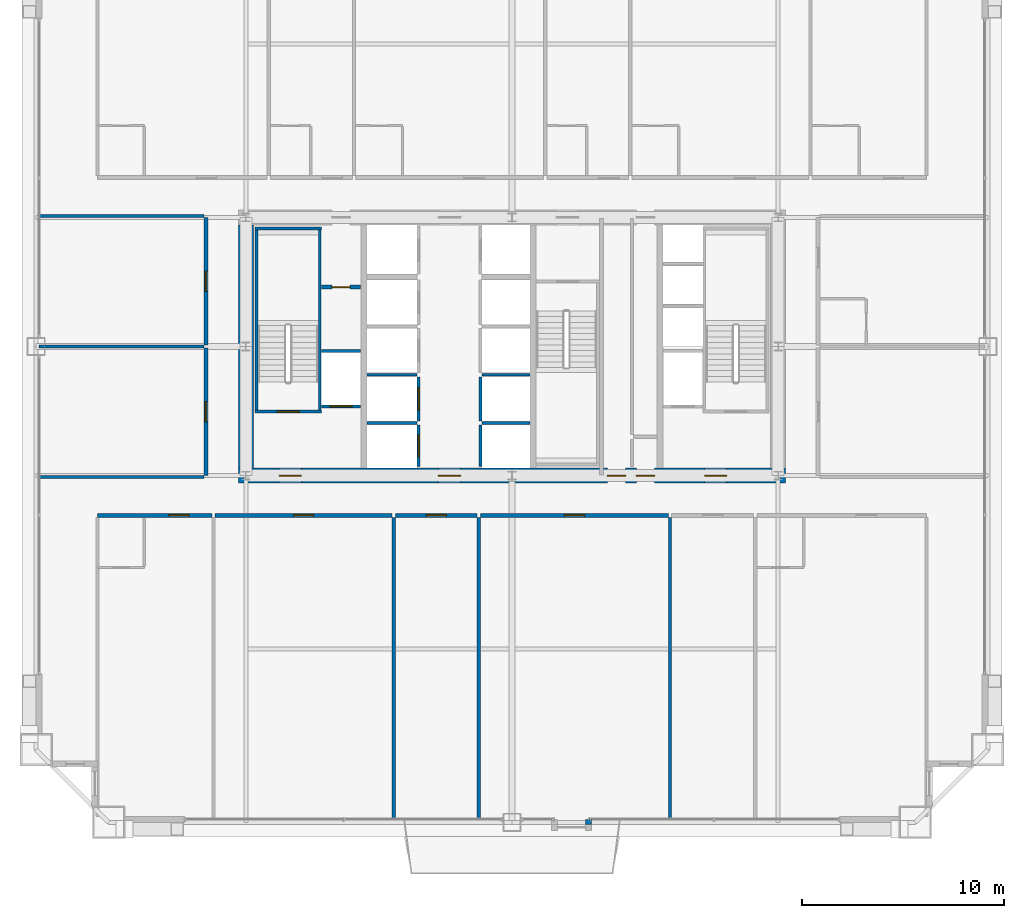
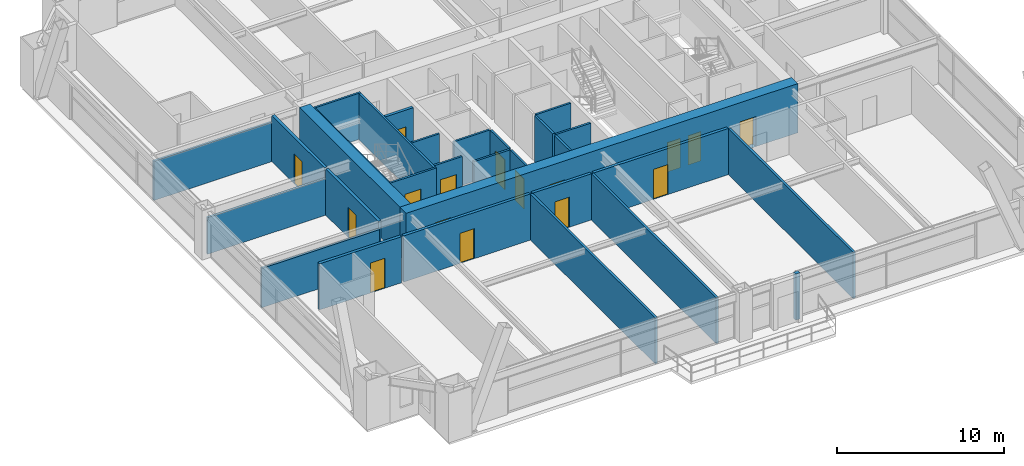
# One storey, part 37 of 41: 30 walls, 16 doors, 16 openings.
"""IFC4 building model written with IfcOpenShell, lengths in metres."""

from ifc_helpers import new_model, si_unit, direction, frame, frame_2d, origin, place, context, subcontext, project, spatial, rectangle, extrude, source, transform, mapped, material, layer, layer_set, type_object, element, fill, save


model = new_model("IFC4")

# Units and contexts
model_context = context("Model", 3, precision=1e-05, world=origin(), true_north=direction((0.0, 1.0)))
body_context = subcontext(model_context, "Body", "Model", "MODEL_VIEW")
ifc_project = project(units=[si_unit("LENGTHUNIT", "METRE"), si_unit("AREAUNIT", "SQUARE_METRE"), si_unit("VOLUMEUNIT", "CUBIC_METRE"), si_unit("PLANEANGLEUNIT", "RADIAN"), si_unit("MASSUNIT", "GRAM", prefix="KILO"), si_unit("THERMODYNAMICTEMPERATUREUNIT", "KELVIN"), si_unit("POWERUNIT", "WATT")], contexts=[model_context])

# Site, building, storey
site_placement = place(None, origin())
site = spatial("IfcSite", under=ifc_project, at=site_placement, CompositionType="ELEMENT")
building_placement = place(site_placement, origin())
building = spatial("IfcBuilding", under=site, at=building_placement, Name="Yuzanri Waterfront Tower", CompositionType="ELEMENT")
storey_placement = place(building_placement, frame((0.0, 0.0, 152.39990234375)))
storey = spatial("IfcBuildingStorey", under=building, at=storey_placement, Name="L40", CompositionType="ELEMENT", Elevation=152.39990234375)

# Wall, openings, doors
ifc_material_1 = material(Name="Concrete C55", Category="concrete")
ifc_layer_1 = layer(ifc_material_1, 0.75)
ifc_layer_set_1 = layer_set([ifc_layer_1], Name="Concrete C55")
wall_type_1 = type_object("IfcWallType", Name="Concrete C55 Low-Mid Zone Core Shear Wall 750", PredefinedType="SHEAR", material=ifc_layer_set_1)
wall_1_placement = place(storey_placement, frame((23.425048828125, 19.39990234375, 0.0), z_axis=(0.0, 0.0, 1.0), x_axis=(1.0, 0.0, 0.0)))
wall_1 = element("IfcWall", 1, at=wall_1_placement, inside=storey, type_object=wall_type_1, Name="L40 Core South Shear Wall", PredefinedType="SHEAR", context=body_context, shape_type="SweptSolid", body=[
    extrude(rectangle(XDim=27.14990234375, YDim=0.75, at=frame_2d((13.574951171875, 0.0))), origin(), (0.0, 0.0, 1.0), 3.60009765625),
])
opening_1_placement = place(wall_1_placement, frame((2.02490234375, 0.0, 0.0)))
opening_1 = element("IfcOpeningElement", 2, at=opening_1_placement, cuts=wall_1, Name="Opening FD-1100", PredefinedType="OPENING", context=body_context, shape_type="SweptSolid", body=[
    extrude(rectangle(XDim=1.10009765625, YDim=2.199951171875, at=frame_2d((0.550048828125, 1.10009765625))), frame((0.0, 0.389892578125, 0.0), z_axis=(0.0, -1.0, 0.0), x_axis=(1.0, 0.0, 0.0)), (0.0, 0.0, 1.0), 0.77978515625),
])
opening_2_placement = place(wall_1_placement, frame((9.925048828125, 0.0, 0.0)))
opening_2 = element("IfcOpeningElement", 3, at=opening_2_placement, cuts=wall_1, Name="Opening FD-1100", PredefinedType="OPENING", context=body_context, shape_type="SweptSolid", body=[
    extrude(rectangle(XDim=1.10009765625, YDim=2.199951171875, at=frame_2d((0.550048828125, 1.10009765625))), frame((0.0, 0.389892578125, 0.0), z_axis=(0.0, -1.0, 0.0), x_axis=(1.0, 0.0, 0.0)), (0.0, 0.0, 1.0), 0.77978515625),
])
opening_3_placement = place(wall_1_placement, frame((23.125, 0.0, 0.0)))
opening_3 = element("IfcOpeningElement", 4, at=opening_3_placement, cuts=wall_1, Name="Opening FD-1100", PredefinedType="OPENING", context=body_context, shape_type="SweptSolid", body=[
    extrude(rectangle(XDim=1.10009765625, YDim=2.199951171875, at=frame_2d((0.550048828125, 1.10009765625))), frame((0.0, 0.389892578125, 0.0), z_axis=(0.0, -1.0, 0.0), x_axis=(1.0, 0.0, 0.0)), (0.0, 0.0, 1.0), 0.77978515625),
])
opening_4_placement = place(wall_1_placement, frame((19.7451171875, 0.0, 0.0)))
opening_4 = element("IfcOpeningElement", 5, at=opening_4_placement, cuts=wall_1, Name="Opening FD-0900", PredefinedType="OPENING", context=body_context, shape_type="SweptSolid", body=[
    extrude(rectangle(XDim=0.89990234375, YDim=2.14990234375, at=frame_2d((0.449951171875, 1.074951171875))), frame((0.0, 0.389892578125, 0.0), z_axis=(0.0, -1.0, 0.0), x_axis=(1.0, 0.0, 0.0)), (0.0, 0.0, 1.0), 0.77978515625),
])
opening_5_placement = place(wall_1_placement, frame((18.304931640625, 0.0, 0.0)))
opening_5 = element("IfcOpeningElement", 6, at=opening_5_placement, cuts=wall_1, Name="Opening FD-0900", PredefinedType="OPENING", context=body_context, shape_type="SweptSolid", body=[
    extrude(rectangle(XDim=0.89990234375, YDim=2.14990234375, at=frame_2d((0.449951171875, 1.074951171875))), frame((0.0, 0.389892578125, 0.0), z_axis=(0.0, -1.0, 0.0), x_axis=(1.0, 0.0, 0.0)), (0.0, 0.0, 1.0), 0.77978515625),
])
ifc_material_2 = material(Name="Painted Galvanized Fire Steel", Category="steel")
door_type_1 = type_object("IfcDoorType", Name="Smoke-Proof Stair and Lobby Fire Door 1100x2200", OperationType="NOTDEFINED", PredefinedType="DOOR", material=ifc_material_2)
shared_shape_1 = source(origin(), body_context, "Body", "SweptSolid", [
    extrude(rectangle(XDim=1.10009765625, YDim=2.199951171875, at=frame_2d((0.550048828125, 1.10009765625))), frame((0.0, 0.02490234375, 0.0), z_axis=(0.0, -1.0, 0.0), x_axis=(1.0, 0.0, 0.0)), (0.0, 0.0, 1.0), 0.050048828125),
])
door_1_placement = place(opening_1_placement, origin())
door_1 = element("IfcDoor", 7, at=door_1_placement, inside=storey, type_object=door_type_1, Name="L40 West Firefighting Lobby Door", OperationType="SINGLE_SWING_RIGHT", OverallHeight=2.199951171875, OverallWidth=1.10009765625, PredefinedType="DOOR", context=body_context, shape_type="MappedRepresentation", body=[
    mapped(shared_shape_1, transform((0.0, 0.0, 0.0), scale=1.0)),
])
fill(opening_1, door_1)
door_2_placement = place(opening_2_placement, origin())
door_2 = element("IfcDoor", 8, at=door_2_placement, inside=storey, type_object=door_type_1, Name="L40 Central Lift Lobby South Door", OperationType="SINGLE_SWING_LEFT", OverallHeight=2.199951171875, OverallWidth=1.10009765625, PredefinedType="DOOR", context=body_context, shape_type="MappedRepresentation", body=[
    mapped(shared_shape_1, transform((0.0, 0.0, 0.0), scale=1.0)),
])
fill(opening_2, door_2)
door_3_placement = place(opening_3_placement, origin())
door_3 = element("IfcDoor", 9, at=door_3_placement, inside=storey, type_object=door_type_1, Name="L40 East Firefighting Lobby Door", OperationType="SINGLE_SWING_RIGHT", OverallHeight=2.199951171875, OverallWidth=1.10009765625, PredefinedType="DOOR", context=body_context, shape_type="MappedRepresentation", body=[
    mapped(shared_shape_1, transform((0.0, 0.0, 0.0), scale=1.0)),
])
fill(opening_3, door_3)
ifc_material_3 = material(Name="Painted Galvanized Fire Steel", Category="steel")
door_type_2 = type_object("IfcDoorType", Name="Riser and Service Room Fire Door 900x2150", OperationType="NOTDEFINED", PredefinedType="DOOR", material=ifc_material_3)
shared_shape_2 = source(origin(), body_context, "Body", "SweptSolid", [
    extrude(rectangle(XDim=0.89990234375, YDim=2.14990234375, at=frame_2d((0.449951171875, 1.074951171875))), frame((0.0, 0.02490234375, 0.0), z_axis=(0.0, -1.0, 0.0), x_axis=(1.0, 0.0, 0.0)), (0.0, 0.0, 1.0), 0.050048828125),
])
door_4_placement = place(opening_4_placement, origin())
door_4 = element("IfcDoor", 10, at=door_4_placement, inside=storey, type_object=door_type_2, Name="L40 East Wet Riser Door", OperationType="SINGLE_SWING_LEFT", OverallHeight=2.14990234375, OverallWidth=0.89990234375, PredefinedType="DOOR", context=body_context, shape_type="MappedRepresentation", body=[
    mapped(shared_shape_2, transform((0.0, 0.0, 0.0), scale=1.0)),
])
fill(opening_4, door_4)
door_5_placement = place(opening_5_placement, origin())
door_5 = element("IfcDoor", 11, at=door_5_placement, inside=storey, type_object=door_type_2, Name="L40 Housekeeping Room", OperationType="SINGLE_SWING_RIGHT", OverallHeight=2.14990234375, OverallWidth=0.89990234375, PredefinedType="DOOR", context=body_context, shape_type="MappedRepresentation", body=[
    mapped(shared_shape_2, transform((0.0, 0.0, 0.0), scale=1.0)),
])
fill(opening_5, door_5)

# Wall, opening, door
ifc_material_4 = material(Name="Concrete C40", Category="concrete")
ifc_layer_2 = layer(ifc_material_4, 0.139892578125)
ifc_layer_set_2 = layer_set([ifc_layer_2], Name="Concrete C40")
wall_type_2 = type_object("IfcWallType", Name="Core Stair Liner and Hoistway Shaft Wall 140", PredefinedType="SOLIDWALL", material=ifc_layer_set_2)
wall_2_placement = place(storey_placement, frame((27.56005859375, 22.830078125, 0.0), z_axis=(0.0, 0.0, 1.0), x_axis=(1.0, 0.0, 0.0)))
wall_2 = element("IfcWall", 12, at=wall_2_placement, inside=storey, type_object=wall_type_2, Name="L40 Lift FL-01 Front Shaft Wall", PredefinedType="SOLIDWALL", context=body_context, shape_type="SweptSolid", body=[
    extrude(rectangle(XDim=1.919921875, YDim=0.139892578125, at=frame_2d((0.9599609375, 0.0))), origin(), (0.0, 0.0, 1.0), 3.380126953125),
])
opening_6_placement = place(wall_2_placement, frame((0.409912109375, 0.0, 0.0)))
opening_6 = element("IfcOpeningElement", 13, at=opening_6_placement, cuts=wall_2, Name="Opening LD-FL-01", PredefinedType="OPENING", context=body_context, shape_type="SweptSolid", body=[
    extrude(rectangle(XDim=1.10009765625, YDim=2.199951171875, at=frame_2d((0.550048828125, 1.10009765625))), frame((0.0, 0.0849609375, 0.0), z_axis=(0.0, -1.0, 0.0), x_axis=(1.0, 0.0, 0.0)), (0.0, 0.0, 1.0), 0.169677734375),
])
ifc_material_5 = material(Name="Brushed Bronze and Stainless Steel Cab", Category="steel")
door_type_3 = type_object("IfcDoorType", Name="Center-Parting Bronze Lift Landing Sliding Door 1100x2200", OperationType="NOTDEFINED", PredefinedType="DOOR", material=ifc_material_5)
shared_shape_3 = source(origin(), body_context, "Body", "SweptSolid", [
    extrude(rectangle(XDim=1.10009765625, YDim=2.199951171875, at=frame_2d((0.550048828125, 1.10009765625))), frame((0.0, 0.02490234375, 0.0), z_axis=(0.0, -1.0, 0.0), x_axis=(1.0, 0.0, 0.0)), (0.0, 0.0, 1.0), 0.050048828125),
])
door_6_placement = place(opening_6_placement, origin())
door_6 = element("IfcDoor", 14, at=door_6_placement, inside=storey, type_object=door_type_3, Name="L40 FL-01 Lift Landing Sliding Door", OperationType="SLIDING_TO_LEFT", OverallHeight=2.199951171875, OverallWidth=1.10009765625, PredefinedType="DOOR", context=body_context, shape_type="MappedRepresentation", body=[
    mapped(shared_shape_3, transform((0.0, 0.0, 0.0), scale=1.0)),
])
fill(opening_6, door_6)

wall_3_placement = place(storey_placement, frame((32.3701171875, 19.860107421875, 0.0), z_axis=(0.0, 0.0, 1.0), x_axis=(0.0, 1.0, 0.0)))
wall_3 = element("IfcWall", 15, at=wall_3_placement, inside=storey, type_object=wall_type_2, Name="L40 Lift PL-01 Front Shaft Wall", PredefinedType="SOLIDWALL", context=body_context, shape_type="SweptSolid", body=[
    extrude(rectangle(XDim=2.039794921875, YDim=0.139892578125, at=frame_2d((1.02001953125, 0.0))), origin(), (0.0, 0.0, 1.0), 3.380126953125),
])
opening_7_placement = place(wall_3_placement, frame((0.469970703125, 0.0, 0.0)))
opening_7 = element("IfcOpeningElement", 16, at=opening_7_placement, cuts=wall_3, Name="Opening LD-PL-01", PredefinedType="OPENING", context=body_context, shape_type="SweptSolid", body=[
    extrude(rectangle(XDim=1.10009765625, YDim=2.199951171875, at=frame_2d((0.550048828125, 1.10009765625))), frame((0.0, 0.0849609375, 0.0), z_axis=(0.0, -1.0, 0.0), x_axis=(1.0, 0.0, 0.0)), (0.0, 0.0, 1.0), 0.169677734375),
])
door_7_placement = place(opening_7_placement, origin())
door_7 = element("IfcDoor", 17, at=door_7_placement, inside=storey, type_object=door_type_3, Name="L40 PL-01 Lift Landing Sliding Door", OperationType="SLIDING_TO_LEFT", OverallHeight=2.199951171875, OverallWidth=1.10009765625, PredefinedType="DOOR", context=body_context, shape_type="MappedRepresentation", body=[
    mapped(shared_shape_3, transform((0.0, 0.0, 0.0), scale=1.0)),
])
fill(opening_7, door_7)

wall_4_placement = place(storey_placement, frame((32.3701171875, 22.10009765625, 0.0), z_axis=(0.0, 0.0, 1.0), x_axis=(0.0, 1.0, 0.0)))
wall_4 = element("IfcWall", 18, at=wall_4_placement, inside=storey, type_object=wall_type_2, Name="L40 Lift PL-02 Front Shaft Wall", PredefinedType="SOLIDWALL", context=body_context, shape_type="SweptSolid", body=[
    extrude(rectangle(XDim=2.199951171875, YDim=0.139892578125, at=frame_2d((1.10009765625, 0.0))), origin(), (0.0, 0.0, 1.0), 3.380126953125),
])
opening_8_placement = place(wall_4_placement, frame((0.550048828125, 0.0, 0.0)))
opening_8 = element("IfcOpeningElement", 19, at=opening_8_placement, cuts=wall_4, Name="Opening LD-PL-02", PredefinedType="OPENING", context=body_context, shape_type="SweptSolid", body=[
    extrude(rectangle(XDim=1.10009765625, YDim=2.199951171875, at=frame_2d((0.550048828125, 1.10009765625))), frame((0.0, 0.0849609375, 0.0), z_axis=(0.0, -1.0, 0.0), x_axis=(1.0, 0.0, 0.0)), (0.0, 0.0, 1.0), 0.169677734375),
])
door_8_placement = place(opening_8_placement, origin())
door_8 = element("IfcDoor", 20, at=door_8_placement, inside=storey, type_object=door_type_3, Name="L40 PL-02 Lift Landing Sliding Door", OperationType="SLIDING_TO_RIGHT", OverallHeight=2.199951171875, OverallWidth=1.10009765625, PredefinedType="DOOR", context=body_context, shape_type="MappedRepresentation", body=[
    mapped(shared_shape_3, transform((0.0, 0.0, 0.0), scale=1.0)),
])
fill(opening_8, door_8)

wall_5_placement = place(storey_placement, frame((24.260009765625, 22.570068359375, 0.0), z_axis=(0.0, 0.0, 1.0), x_axis=(1.0, 0.0, 0.0)))
wall_5 = element("IfcWall", 21, at=wall_5_placement, inside=storey, type_object=wall_type_2, Name="L40 Shaft Wall STW-L40-ST-01-S", PredefinedType="SOLIDWALL", context=body_context, shape_type="SweptSolid", body=[
    extrude(rectangle(XDim=3.280029296875, YDim=0.139892578125, at=frame_2d((1.64013671875, 0.0))), origin(), (0.0, 0.0, 1.0), 3.380126953125),
])
opening_9_placement = place(wall_5_placement, frame((1.090087890625, 0.0, 0.0)))
opening_9 = element("IfcOpeningElement", 22, at=opening_9_placement, cuts=wall_5, Name="Opening FD-1100", PredefinedType="OPENING", context=body_context, shape_type="SweptSolid", body=[
    extrude(rectangle(XDim=1.10009765625, YDim=2.199951171875, at=frame_2d((0.550048828125, 1.10009765625))), frame((0.0, 0.0849609375, 0.0), z_axis=(0.0, -1.0, 0.0), x_axis=(1.0, 0.0, 0.0)), (0.0, 0.0, 1.0), 0.169677734375),
])
door_9_placement = place(opening_9_placement, origin())
door_9 = element("IfcDoor", 23, at=door_9_placement, inside=storey, type_object=door_type_1, Name="L40 Stair ST-01 Fire Door", OperationType="SINGLE_SWING_LEFT", OverallHeight=2.199951171875, OverallWidth=1.10009765625, PredefinedType="DOOR", context=body_context, shape_type="MappedRepresentation", body=[
    mapped(shared_shape_1, transform((0.0, 0.0, 0.0), scale=1.0)),
])
fill(opening_9, door_9)

ifc_material_6 = material(Name="Autoclaved Aerated Concrete Blockwork", Category="masonry")
ifc_layer_3 = layer(ifc_material_6, 0.199951171875)
ifc_layer_set_3 = layer_set([ifc_layer_3], Name="Autoclaved Aerated Concrete Blockwork")
wall_type_3 = type_object("IfcWallType", Name="Corridor and Unit Party Fire Wall 200", PredefinedType="PARTITIONING", material=ifc_layer_set_3)
wall_6_placement = place(storey_placement, frame((27.56005859375, 28.75, 0.0), z_axis=(0.0, 0.0, 1.0), x_axis=(1.0, 0.0, 0.0)))
wall_6 = element("IfcWall", 24, at=wall_6_placement, inside=storey, type_object=wall_type_3, Name="L40 Partition CRW-L40-ERTR", PredefinedType="PARTITIONING", context=body_context, shape_type="SweptSolid", body=[
    extrude(rectangle(XDim=1.919921875, YDim=0.199951171875, at=frame_2d((0.9599609375, 0.0))), origin(), (0.0, 0.0, 1.0), 3.380126953125),
])
opening_10_placement = place(wall_6_placement, frame((0.510009765625, 0.0, 0.0)))
opening_10 = element("IfcOpeningElement", 25, at=opening_10_placement, cuts=wall_6, Name="Opening FD-0900", PredefinedType="OPENING", context=body_context, shape_type="SweptSolid", body=[
    extrude(rectangle(XDim=0.89990234375, YDim=2.14990234375, at=frame_2d((0.449951171875, 1.074951171875))), frame((0.0, 0.11474609375, 0.0), z_axis=(0.0, -1.0, 0.0), x_axis=(1.0, 0.0, 0.0)), (0.0, 0.0, 1.0), 0.229736328125),
])
door_10_placement = place(opening_10_placement, origin())
door_10 = element("IfcDoor", 26, at=door_10_placement, inside=storey, type_object=door_type_2, Name="L40 Electrical Riser Door", OperationType="SINGLE_SWING_RIGHT", OverallHeight=2.14990234375, OverallWidth=0.89990234375, PredefinedType="DOOR", context=body_context, shape_type="MappedRepresentation", body=[
    mapped(shared_shape_2, transform((0.0, 0.0, 0.0), scale=1.0)),
])
fill(opening_10, door_10)

wall_7_placement = place(storey_placement, frame((16.43994140625, 17.419921875, 0.0), z_axis=(0.0, 0.0, 1.0), x_axis=(1.0, 0.0, 0.0)))
wall_7 = element("IfcWall", 27, at=wall_7_placement, inside=storey, type_object=wall_type_3, Name="L40 Partition UW-L40-S1-CN", PredefinedType="PARTITIONING", context=body_context, shape_type="SweptSolid", body=[
    extrude(rectangle(XDim=5.677001953125, YDim=0.199951171875, at=frame_2d((2.83837890625, 0.0))), origin(), (0.0, 0.0, 1.0), 3.380126953125),
])
opening_11_placement = place(wall_7_placement, frame((3.54296875, 0.0, 0.0)))
opening_11 = element("IfcOpeningElement", 28, at=opening_11_placement, cuts=wall_7, Name="Opening FD-1000", PredefinedType="OPENING", context=body_context, shape_type="SweptSolid", body=[
    extrude(rectangle(XDim=1.0, YDim=2.199951171875, at=frame_2d((0.5, 1.10009765625))), frame((0.0, 0.11474609375, 0.0), z_axis=(0.0, -1.0, 0.0), x_axis=(1.0, 0.0, 0.0)), (0.0, 0.0, 1.0), 0.229736328125),
])
ifc_material_7 = material(Name="Engineered Oak Fire-Rated Timber", Category="wood")
door_type_4 = type_object("IfcDoorType", Name="Guestroom and Apartment Entrance Fire Door 1000x2200", OperationType="NOTDEFINED", PredefinedType="DOOR", material=ifc_material_7)
shared_shape_4 = source(origin(), body_context, "Body", "SweptSolid", [
    extrude(rectangle(XDim=1.0, YDim=2.199951171875, at=frame_2d((0.5, 1.10009765625))), frame((0.0, 0.02490234375, 0.0), z_axis=(0.0, -1.0, 0.0), x_axis=(1.0, 0.0, 0.0)), (0.0, 0.0, 1.0), 0.050048828125),
])
door_11_placement = place(opening_11_placement, origin())
door_11 = element("IfcDoor", 29, at=door_11_placement, inside=storey, type_object=door_type_4, Name="L40 Ambassador Suite Entrance Door", OperationType="SINGLE_SWING_RIGHT", OverallHeight=2.199951171875, OverallWidth=1.0, PredefinedType="DOOR", context=body_context, shape_type="MappedRepresentation", body=[
    mapped(shared_shape_4, transform((0.0, 0.0, 0.0), scale=1.0)),
])
fill(opening_11, door_11)

wall_8_placement = place(storey_placement, frame((22.277099609375, 17.419921875, 0.0), z_axis=(0.0, 0.0, 1.0), x_axis=(1.0, 0.0, 0.0)))
wall_8 = element("IfcWall", 30, at=wall_8_placement, inside=storey, type_object=wall_type_3, Name="L40 Partition UW-L40-S2-CN", PredefinedType="PARTITIONING", context=body_context, shape_type="SweptSolid", body=[
    extrude(rectangle(XDim=8.77685546875, YDim=0.199951171875, at=frame_2d((4.388427734375, 0.0))), origin(), (0.0, 0.0, 1.0), 3.380126953125),
])
opening_12_placement = place(wall_8_placement, frame((3.888916015625, 0.0, 0.0)))
opening_12 = element("IfcOpeningElement", 31, at=opening_12_placement, cuts=wall_8, Name="Opening FD-1000", PredefinedType="OPENING", context=body_context, shape_type="SweptSolid", body=[
    extrude(rectangle(XDim=1.0, YDim=2.199951171875, at=frame_2d((0.5, 1.10009765625))), frame((0.0, 0.11474609375, 0.0), z_axis=(0.0, -1.0, 0.0), x_axis=(1.0, 0.0, 0.0)), (0.0, 0.0, 1.0), 0.229736328125),
])
door_12_placement = place(opening_12_placement, origin())
door_12 = element("IfcDoor", 32, at=door_12_placement, inside=storey, type_object=door_type_4, Name="L40 Private Office 1 Entrance Door", OperationType="SINGLE_SWING_RIGHT", OverallHeight=2.199951171875, OverallWidth=1.0, PredefinedType="DOOR", context=body_context, shape_type="MappedRepresentation", body=[
    mapped(shared_shape_4, transform((0.0, 0.0, 0.0), scale=1.0)),
])
fill(opening_12, door_12)

wall_9_placement = place(storey_placement, frame((31.214111328125, 17.419921875, 0.0), z_axis=(0.0, 0.0, 1.0), x_axis=(1.0, 0.0, 0.0)))
wall_9 = element("IfcWall", 33, at=wall_9_placement, inside=storey, type_object=wall_type_3, Name="L40 Partition UW-L40-S3-CN", PredefinedType="PARTITIONING", context=body_context, shape_type="SweptSolid", body=[
    extrude(rectangle(XDim=4.060791015625, YDim=0.199951171875, at=frame_2d((2.0302734375, 0.0))), origin(), (0.0, 0.0, 1.0), 3.380126953125),
])
opening_13_placement = place(wall_9_placement, frame((1.531005859375, 0.0, 0.0)))
opening_13 = element("IfcOpeningElement", 34, at=opening_13_placement, cuts=wall_9, Name="Opening FD-1000", PredefinedType="OPENING", context=body_context, shape_type="SweptSolid", body=[
    extrude(rectangle(XDim=1.0, YDim=2.199951171875, at=frame_2d((0.5, 1.10009765625))), frame((0.0, 0.11474609375, 0.0), z_axis=(0.0, -1.0, 0.0), x_axis=(1.0, 0.0, 0.0)), (0.0, 0.0, 1.0), 0.229736328125),
])
door_13_placement = place(opening_13_placement, origin())
door_13 = element("IfcDoor", 35, at=door_13_placement, inside=storey, type_object=door_type_4, Name="L40 Private Office 2 Entrance Door", OperationType="SINGLE_SWING_LEFT", OverallHeight=2.199951171875, OverallWidth=1.0, PredefinedType="DOOR", context=body_context, shape_type="MappedRepresentation", body=[
    mapped(shared_shape_4, transform((0.0, 0.0, 0.0), scale=1.0)),
])
fill(opening_13, door_13)

wall_10_placement = place(storey_placement, frame((35.43505859375, 17.419921875, 0.0), z_axis=(0.0, 0.0, 1.0), x_axis=(1.0, 0.0, 0.0)))
wall_10 = element("IfcWall", 36, at=wall_10_placement, inside=storey, type_object=wall_type_3, Name="L40 Partition UW-L40-S4-CN", PredefinedType="PARTITIONING", context=body_context, shape_type="SweptSolid", body=[
    extrude(rectangle(XDim=9.324951171875, YDim=0.199951171875, at=frame_2d((4.66259765625, 0.0))), origin(), (0.0, 0.0, 1.0), 3.380126953125),
])
opening_14_placement = place(wall_10_placement, frame((4.162109375, 0.0, 0.0)))
opening_14 = element("IfcOpeningElement", 37, at=opening_14_placement, cuts=wall_10, Name="Opening FD-1000", PredefinedType="OPENING", context=body_context, shape_type="SweptSolid", body=[
    extrude(rectangle(XDim=1.0, YDim=2.199951171875, at=frame_2d((0.5, 1.10009765625))), frame((0.0, 0.11474609375, 0.0), z_axis=(0.0, -1.0, 0.0), x_axis=(1.0, 0.0, 0.0)), (0.0, 0.0, 1.0), 0.229736328125),
])
door_14_placement = place(opening_14_placement, origin())
door_14 = element("IfcDoor", 38, at=door_14_placement, inside=storey, type_object=door_type_4, Name="L40 Private Office 3 Entrance Door", OperationType="SINGLE_SWING_RIGHT", OverallHeight=2.199951171875, OverallWidth=1.0, PredefinedType="DOOR", context=body_context, shape_type="MappedRepresentation", body=[
    mapped(shared_shape_4, transform((0.0, 0.0, 0.0), scale=1.0)),
])
fill(opening_14, door_14)

wall_11_placement = place(storey_placement, frame((21.820068359375, 19.409912109375, 0.0), z_axis=(0.0, 0.0, 1.0), x_axis=(0.0, 1.0, 0.0)))
wall_11 = element("IfcWall", 39, at=wall_11_placement, inside=storey, type_object=wall_type_3, Name="L40 Partition UW-L40-W1-CW", PredefinedType="PARTITIONING", context=body_context, shape_type="SweptSolid", body=[
    extrude(rectangle(XDim=6.31005859375, YDim=0.199951171875, at=frame_2d((3.155029296875, 0.0))), origin(), (0.0, 0.0, 1.0), 3.380126953125),
])
opening_15_placement = place(wall_11_placement, frame((2.655029296875, 0.0, 0.0)))
opening_15 = element("IfcOpeningElement", 40, at=opening_15_placement, cuts=wall_11, Name="Opening FD-1000", PredefinedType="OPENING", context=body_context, shape_type="SweptSolid", body=[
    extrude(rectangle(XDim=1.0, YDim=2.199951171875, at=frame_2d((0.5, 1.10009765625))), frame((0.0, 0.11474609375, 0.0), z_axis=(0.0, -1.0, 0.0), x_axis=(1.0, 0.0, 0.0)), (0.0, 0.0, 1.0), 0.229736328125),
])
door_15_placement = place(opening_15_placement, origin())
door_15 = element("IfcDoor", 41, at=door_15_placement, inside=storey, type_object=door_type_4, Name="L40 West Club Room Entrance Door", OperationType="SINGLE_SWING_RIGHT", OverallHeight=2.199951171875, OverallWidth=1.0, PredefinedType="DOOR", context=body_context, shape_type="MappedRepresentation", body=[
    mapped(shared_shape_4, transform((0.0, 0.0, 0.0), scale=1.0)),
])
fill(opening_15, door_15)

wall_12_placement = place(storey_placement, frame((21.820068359375, 25.8798828125, 0.0), z_axis=(0.0, 0.0, 1.0), x_axis=(0.0, 1.0, 0.0)))
wall_12 = element("IfcWall", 42, at=wall_12_placement, inside=storey, type_object=wall_type_3, Name="L40 Partition UW-L40-W2-CW", PredefinedType="PARTITIONING", context=body_context, shape_type="SweptSolid", body=[
    extrude(rectangle(XDim=6.31005859375, YDim=0.199951171875, at=frame_2d((3.155029296875, 0.0))), origin(), (0.0, 0.0, 1.0), 3.380126953125),
])
opening_16_placement = place(wall_12_placement, frame((2.655029296875, 0.0, 0.0)))
opening_16 = element("IfcOpeningElement", 43, at=opening_16_placement, cuts=wall_12, Name="Opening FD-1000", PredefinedType="OPENING", context=body_context, shape_type="SweptSolid", body=[
    extrude(rectangle(XDim=1.0, YDim=2.199951171875, at=frame_2d((0.5, 1.10009765625))), frame((0.0, 0.11474609375, 0.0), z_axis=(0.0, -1.0, 0.0), x_axis=(1.0, 0.0, 0.0)), (0.0, 0.0, 1.0), 0.229736328125),
])
door_16_placement = place(opening_16_placement, origin())
door_16 = element("IfcDoor", 44, at=door_16_placement, inside=storey, type_object=door_type_4, Name="L40 West Library Reading Room Entrance Door", OperationType="SINGLE_SWING_LEFT", OverallHeight=2.199951171875, OverallWidth=1.0, PredefinedType="DOOR", context=body_context, shape_type="MappedRepresentation", body=[
    mapped(shared_shape_4, transform((0.0, 0.0, 0.0), scale=1.0)),
])
fill(opening_16, door_16)

# Walls
shared_shape_5 = source(origin(), body_context, "Body", "SweptSolid", [
    extrude(rectangle(XDim=12.050048828125, YDim=0.75, at=frame_2d((6.02490234375, 0.0))), origin(), (0.0, 0.0, 1.0), 3.60009765625),
])
wall_13_placement = place(storey_placement, frame((23.800048828125, 19.77490234375, 0.0), z_axis=(0.0, 0.0, 1.0), x_axis=(0.0, 1.0, 0.0)))
element("IfcWall", 45, at=wall_13_placement, inside=storey, type_object=wall_type_1, Name="L40 Core West Shear Wall", PredefinedType="SHEAR", context=body_context, shape_type="MappedRepresentation", body=[
    mapped(shared_shape_5, transform((0.0, 0.0, 0.0), scale=1.0)),
])
ifc_material_8 = material(Name="Honed Chongqing Dark Basalt Stone", Category="masonry")
ifc_layer_4 = layer(ifc_material_8, 0.300048828125)
ifc_layer_set_4 = layer_set([ifc_layer_4], Name="Honed Chongqing Dark Basalt Stone")
wall_type_4 = type_object("IfcWallType", Name="Bronze Rainscreen Insulated Spandrel Portal Wall 300", PredefinedType="SOLIDWALL", material=ifc_layer_set_4)
shared_shape_6 = source(origin(), body_context, "Body", "SweptSolid", [
    extrude(rectangle(XDim=0.25, YDim=0.300048828125, at=frame_2d((0.125, 0.0))), origin(), (0.0, 0.0, 1.0), 3.380126953125),
])
wall_14_placement = place(storey_placement, frame((40.798095703125, 2.10009765625, 0.0), z_axis=(0.0, 0.0, 1.0), x_axis=(0.0, 1.0, 0.0)))
element("IfcWall", 46, at=wall_14_placement, inside=storey, type_object=wall_type_4, Name="L40 S Terrace Portal Right Return", PredefinedType="SOLIDWALL", context=body_context, shape_type="MappedRepresentation", body=[
    mapped(shared_shape_6, transform((0.0, 0.0, 0.0), scale=1.0)),
])
shared_shape_7 = source(origin(), body_context, "Body", "SweptSolid", [
    extrude(rectangle(XDim=1.919921875, YDim=0.139892578125, at=frame_2d((0.9599609375, 0.0))), origin(), (0.0, 0.0, 1.0), 3.380126953125),
])
wall_15_placement = place(storey_placement, frame((27.56005859375, 25.570068359375, 0.0), z_axis=(0.0, 0.0, 1.0), x_axis=(1.0, 0.0, 0.0)))
element("IfcWall", 47, at=wall_15_placement, inside=storey, type_object=wall_type_2, Name="L40 Lift FL-01 Back Shaft Wall", PredefinedType="SOLIDWALL", context=body_context, shape_type="MappedRepresentation", body=[
    mapped(shared_shape_7, transform((0.0, 0.0, 0.0), scale=1.0)),
])
shared_shape_8 = source(origin(), body_context, "Body", "SweptSolid", [
    extrude(rectangle(XDim=2.5, YDim=0.139892578125, at=frame_2d((1.25, 0.0))), origin(), (0.0, 0.0, 1.0), 3.380126953125),
])
for number, where, z_axis, x_axis, name in (
    (48, (29.800048828125, 22.0, 0.0), (0.0, 0.0, 1.0), (1.0, 0.0, 0.0), "L40 Lift PL-01 Divider Wall"),
    (49, (29.800048828125, 24.39990234375, 0.0), (0.0, 0.0, 1.0), (1.0, 0.0, 0.0), "L40 Lift PL-02 Divider Wall"),
):
    element("IfcWall", number, at=place(storey_placement, frame(where, z_axis=z_axis, x_axis=x_axis)), inside=storey, type_object=wall_type_2, Name=name, PredefinedType="SOLIDWALL", context=body_context, shape_type="MappedRepresentation", body=[
        mapped(shared_shape_8, transform((0.0, 0.0, 0.0), scale=1.0)),
    ])
shared_shape_9 = source(origin(), body_context, "Body", "SweptSolid", [
    extrude(rectangle(XDim=2.039794921875, YDim=0.139892578125, at=frame_2d((1.02001953125, 0.0))), origin(), (0.0, 0.0, 1.0), 3.380126953125),
])
wall_16_placement = place(storey_placement, frame((35.429931640625, 19.860107421875, 0.0), z_axis=(0.0, 0.0, 1.0), x_axis=(0.0, 1.0, 0.0)))
element("IfcWall", 50, at=wall_16_placement, inside=storey, type_object=wall_type_2, Name="L40 Lift PL-05 Front Shaft Wall", PredefinedType="SOLIDWALL", context=body_context, shape_type="MappedRepresentation", body=[
    mapped(shared_shape_9, transform((0.0, 0.0, 0.0), scale=1.0)),
])
shared_shape_10 = source(origin(), body_context, "Body", "SweptSolid", [
    extrude(rectangle(XDim=2.39990234375, YDim=0.139892578125, at=frame_2d((1.199951171875, 0.0))), origin(), (0.0, 0.0, 1.0), 3.380126953125),
])
for number, where, z_axis, x_axis, name in (
    (51, (35.5, 22.0, 0.0), (0.0, 0.0, 1.0), (1.0, 0.0, 0.0), "L40 Lift PL-05 Divider Wall"),
    (52, (35.5, 24.39990234375, 0.0), (0.0, 0.0, 1.0), (1.0, 0.0, 0.0), "L40 Lift PL-06 Divider Wall"),
):
    element("IfcWall", number, at=place(storey_placement, frame(where, z_axis=z_axis, x_axis=x_axis)), inside=storey, type_object=wall_type_2, Name=name, PredefinedType="SOLIDWALL", context=body_context, shape_type="MappedRepresentation", body=[
        mapped(shared_shape_10, transform((0.0, 0.0, 0.0), scale=1.0)),
    ])
shared_shape_11 = source(origin(), body_context, "Body", "SweptSolid", [
    extrude(rectangle(XDim=2.199951171875, YDim=0.139892578125, at=frame_2d((1.10009765625, 0.0))), origin(), (0.0, 0.0, 1.0), 3.380126953125),
])
wall_17_placement = place(storey_placement, frame((35.429931640625, 22.10009765625, 0.0), z_axis=(0.0, 0.0, 1.0), x_axis=(0.0, 1.0, 0.0)))
element("IfcWall", 53, at=wall_17_placement, inside=storey, type_object=wall_type_2, Name="L40 Lift PL-06 Front Shaft Wall", PredefinedType="SOLIDWALL", context=body_context, shape_type="MappedRepresentation", body=[
    mapped(shared_shape_11, transform((0.0, 0.0, 0.0), scale=1.0)),
])
shared_shape_12 = source(origin(), body_context, "Body", "SweptSolid", [
    extrude(rectangle(XDim=3.280029296875, YDim=0.139892578125, at=frame_2d((1.64013671875, 0.0))), origin(), (0.0, 0.0, 1.0), 3.380126953125),
])
wall_18_placement = place(storey_placement, frame((24.260009765625, 31.64990234375, 0.0), z_axis=(0.0, 0.0, 1.0), x_axis=(1.0, 0.0, 0.0)))
element("IfcWall", 54, at=wall_18_placement, inside=storey, type_object=wall_type_2, Name="L40 Stair ST-01 North Shaft Wall", PredefinedType="SOLIDWALL", context=body_context, shape_type="MappedRepresentation", body=[
    mapped(shared_shape_12, transform((0.0, 0.0, 0.0), scale=1.0)),
])
shared_shape_13 = source(origin(), body_context, "Body", "SweptSolid", [
    extrude(rectangle(XDim=8.940185546875, YDim=0.139892578125, at=frame_2d((4.47021484375, 0.0))), origin(), (0.0, 0.0, 1.0), 3.380126953125),
])
for number, where, z_axis, x_axis, name in (
    (55, (24.330078125, 22.639892578125, 0.0), (0.0, 0.0, 1.0), (0.0, 1.0, 0.0), "L40 Stair ST-01 West Shaft Wall"),
    (56, (27.469970703125, 22.639892578125, 0.0), (0.0, 0.0, 1.0), (0.0, 1.0, 0.0), "L40 Stair ST-01 East Shaft Wall"),
):
    element("IfcWall", number, at=place(storey_placement, frame(where, z_axis=z_axis, x_axis=x_axis)), inside=storey, type_object=wall_type_2, Name=name, PredefinedType="SOLIDWALL", context=body_context, shape_type="MappedRepresentation", body=[
        mapped(shared_shape_13, transform((0.0, 0.0, 0.0), scale=1.0)),
    ])
ifc_material_9 = material(Name="Gypsum Fireboard Acoustic Stud Wall", Category="gypsum")
ifc_layer_5 = layer(ifc_material_9, 0.159912109375)
ifc_layer_set_5 = layer_set([ifc_layer_5], Name="Gypsum Fireboard Acoustic Stud Wall")
wall_type_5 = type_object("IfcWallType", Name="Acoustic Suite Demising Partition 160", PredefinedType="PARTITIONING", material=ifc_layer_set_5)
shared_shape_14 = source(origin(), body_context, "Body", "SweptSolid", [
    extrude(rectangle(XDim=14.969970703125, YDim=0.159912109375, at=frame_2d((7.48486328125, 0.0))), origin(), (0.0, 0.0, 1.0), 3.380126953125),
])
for number, where, z_axis, x_axis, name in (
    (57, (31.134033203125, 2.35009765625, 0.0), (0.0, 0.0, 1.0), (0.0, 1.0, 0.0), "L40-S2 Party Wall"),
    (58, (35.35498046875, 2.35009765625, 0.0), (0.0, 0.0, 1.0), (0.0, 1.0, 0.0), "L40-S3 Party Wall"),
    (59, (44.840087890625, 2.35009765625, 0.0), (0.0, 0.0, 1.0), (0.0, 1.0, 0.0), "L40-S4 Party Wall"),
):
    element("IfcWall", number, at=place(storey_placement, frame(where, z_axis=z_axis, x_axis=x_axis)), inside=storey, type_object=wall_type_5, Name=name, PredefinedType="PARTITIONING", context=body_context, shape_type="MappedRepresentation", body=[
        mapped(shared_shape_14, transform((0.0, 0.0, 0.0), scale=1.0)),
    ])
shared_shape_15 = source(origin(), body_context, "Body", "SweptSolid", [
    extrude(rectangle(XDim=8.169921875, YDim=0.159912109375, at=frame_2d((4.0849609375, 0.0))), origin(), (0.0, 0.0, 1.0), 2.675048828125),
])
wall_19_placement = place(storey_placement, frame((13.550048828125, 25.800048828125, 0.0), z_axis=(0.0, 0.0, 1.0), x_axis=(1.0, 0.0, 0.0)))
element("IfcWall", 60, at=wall_19_placement, inside=storey, type_object=wall_type_5, Name="L40-W1 Wing Party Wall", PredefinedType="PARTITIONING", context=body_context, shape_type="MappedRepresentation", body=[
    mapped(shared_shape_15, transform((0.0, 0.0, 0.0), scale=1.0)),
])
shared_shape_16 = source(origin(), body_context, "Body", "SweptSolid", [
    extrude(rectangle(XDim=8.169921875, YDim=0.159912109375, at=frame_2d((4.0849609375, 0.0))), origin(), (0.0, 0.0, 1.0), 2.875),
])
for number, where, z_axis, x_axis, name in (
    (61, (13.550048828125, 19.330078125, 0.0), (0.0, 0.0, 1.0), (1.0, 0.0, 0.0), "L40-W1 Wing South End Wall"),
    (62, (13.550048828125, 32.27001953125, 0.0), (0.0, 0.0, 1.0), (1.0, 0.0, 0.0), "L40-W2 Wing North End Wall"),
):
    element("IfcWall", number, at=place(storey_placement, frame(where, z_axis=z_axis, x_axis=x_axis)), inside=storey, type_object=wall_type_5, Name=name, PredefinedType="PARTITIONING", context=body_context, shape_type="MappedRepresentation", body=[
        mapped(shared_shape_16, transform((0.0, 0.0, 0.0), scale=1.0)),
    ])

save(model, "model.ifc")
